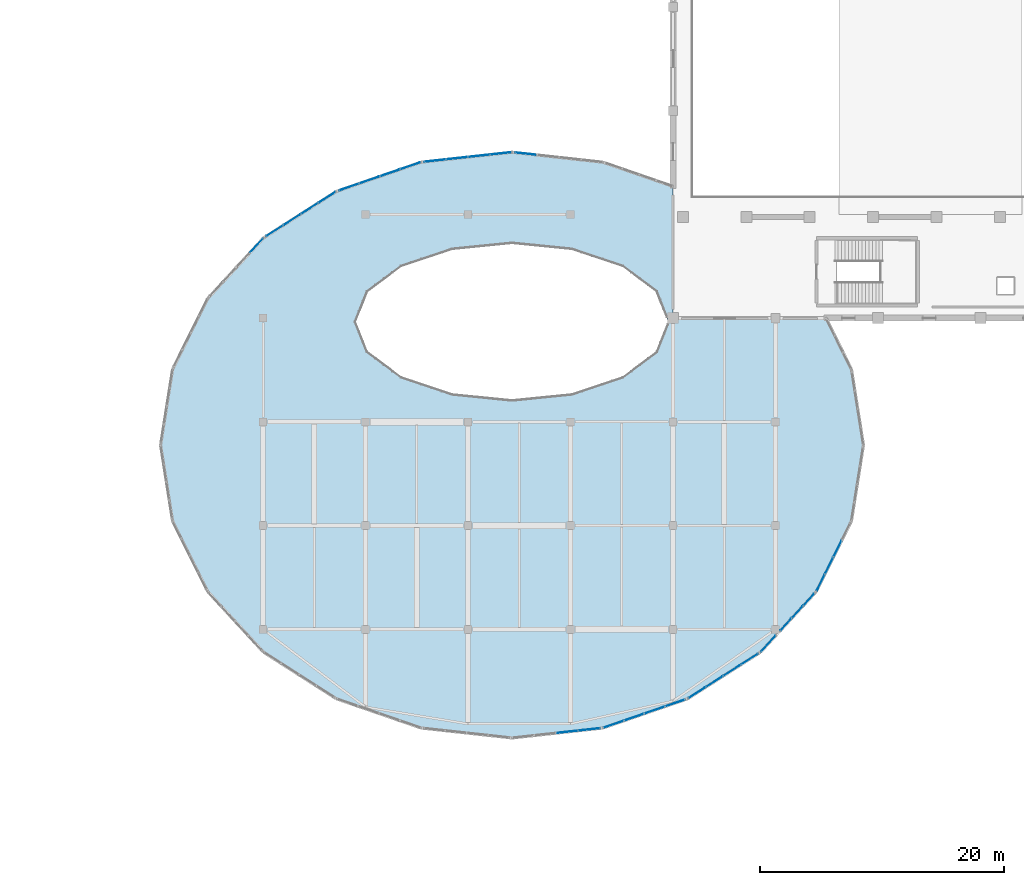
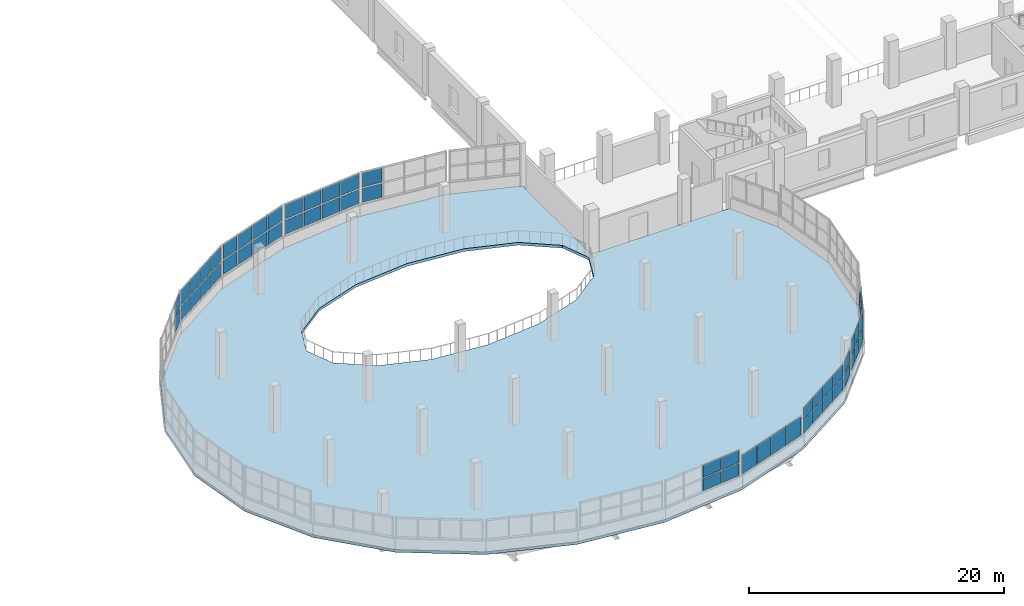
# One storey, part 33 of 50: 57 plates, 1 slab, 11 elements without a shape of their own.
"""IFC4 building model written with IfcOpenShell, lengths in metres."""

from ifc_helpers import new_model, si_unit, direction, frame, origin, origin_2d, place, context, subcontext, project, spatial, polyline, rectangle, outline, extrude, material, layer, layer_set, type_object, element, aggregate, save


model = new_model("IFC4")

# Units and contexts
model_context = context("Model", 3, precision=1e-05, world=origin(), true_north=direction((0.0, 1.0)))
body_context = subcontext(model_context, "Body", "Model", "MODEL_VIEW")
ifc_project = project(units=[si_unit("LENGTHUNIT", "METRE"), si_unit("AREAUNIT", "SQUARE_METRE"), si_unit("VOLUMEUNIT", "CUBIC_METRE"), si_unit("PLANEANGLEUNIT", "RADIAN"), si_unit("MASSUNIT", "GRAM", prefix="KILO")], contexts=[model_context])

# Site, building, storey
site_placement = place(None, origin())
site = spatial("IfcSite", under=ifc_project, at=site_placement, CompositionType="ELEMENT")
building_placement = place(site_placement, origin())
building = spatial("IfcBuilding", under=site, at=building_placement, Name="Solvento Point Concert Hall", CompositionType="ELEMENT")
storey_placement = place(building_placement, frame((0.0, 0.0, 15.0)))
storey = spatial("IfcBuildingStorey", under=building, at=storey_placement, Name="L03", CompositionType="ELEMENT", Elevation=15.0)

# Curtain wall, plates
ifc_material_1 = material(Name="Anodized Bronze Aluminium", Category="aluminium")
curtain_wall_type = type_object("IfcCurtainWallType", Name="CurtainWall_RingRibbon_L03_04", PredefinedType="USERDEFINED", material=ifc_material_1)
curtain_wall_1_placement = place(storey_placement, origin())
curtain_wall_1 = element("IfcCurtainWall", 1, at=curtain_wall_1_placement, inside=storey, type_object=curtain_wall_type, Name="Unitised curtain wall CW-31 UCW-L03-193", ObjectType="UNITISED CURTAIN WALL", PredefinedType="USERDEFINED")
ifc_material_2 = material(Name="Hurricane Laminated Low-E Glass", Category="glass")
plate_type = type_object("IfcPlateType", Name="CurtainPanel_RingUpper", PredefinedType="CURTAIN_PANEL", material=ifc_material_2)
plate_1_placement = place(storey_placement, frame((40.263916015625, 48.4501953125, 1.240234375), z_axis=(0.0, 0.0, 1.0), x_axis=(0.677365302802, 0.735646821892, 0.0)))
plate_1 = element("IfcPlate", 2, at=plate_1_placement, type_object=plate_type, Name="Glazed curtain panel GL-03", PredefinedType="CURTAIN_PANEL", context=body_context, shape_type="SweptSolid", body=[
    extrude(rectangle(XDim=1.506591796875, YDim=0.035888671875, at=origin_2d()), origin(), (0.0, 0.0, 1.0), 1.364990234375),
])
plate_2_placement = place(storey_placement, frame((40.263916015625, 48.4501953125, 2.72509765625), z_axis=(0.0, 0.0, 1.0), x_axis=(0.677365302802, 0.735646821892, 0.0)))
plate_2 = element("IfcPlate", 3, at=plate_2_placement, type_object=plate_type, Name="Glazed curtain panel GL-03", PredefinedType="CURTAIN_PANEL", context=body_context, shape_type="SweptSolid", body=[
    extrude(rectangle(XDim=1.506591796875, YDim=0.035888671875, at=origin_2d()), origin(), (0.0, 0.0, 1.0), 1.364990234375),
])
aggregate(curtain_wall_1, [plate_1, plate_2])

curtain_wall_2_placement = place(storey_placement, origin())
curtain_wall_2 = element("IfcCurtainWall", 4, at=curtain_wall_2_placement, inside=storey, type_object=curtain_wall_type, Name="Unitised curtain wall CW-31 UCW-L03-194", ObjectType="UNITISED CURTAIN WALL", PredefinedType="USERDEFINED")
plate_3_placement = place(storey_placement, frame((41.739990234375, 49.64892578125, 1.240234375), z_axis=(0.0, 0.0, 1.0), x_axis=(0.842490008251, 0.538711969421, 0.0)))
plate_3 = element("IfcPlate", 5, at=plate_3_placement, type_object=plate_type, Name="Glazed curtain panel GL-03", PredefinedType="CURTAIN_PANEL", context=body_context, shape_type="SweptSolid", body=[
    extrude(rectangle(XDim=1.58740234375, YDim=0.035888671875, at=origin_2d()), origin(), (0.0, 0.0, 1.0), 1.364990234375),
])
plate_4_placement = place(storey_placement, frame((41.739990234375, 49.64892578125, 2.72509765625), z_axis=(0.0, 0.0, 1.0), x_axis=(0.842490008251, 0.538711969421, 0.0)))
plate_4 = element("IfcPlate", 6, at=plate_4_placement, type_object=plate_type, Name="Glazed curtain panel GL-03", PredefinedType="CURTAIN_PANEL", context=body_context, shape_type="SweptSolid", body=[
    extrude(rectangle(XDim=1.58740234375, YDim=0.035888671875, at=origin_2d()), origin(), (0.0, 0.0, 1.0), 1.364990234375),
])
plate_5_placement = place(storey_placement, frame((43.178466796875, 50.56884765625, 1.240234375), z_axis=(0.0, 0.0, 1.0), x_axis=(0.842490008251, 0.538711969421, 0.0)))
plate_5 = element("IfcPlate", 7, at=plate_5_placement, type_object=plate_type, Name="Glazed curtain panel GL-03", PredefinedType="CURTAIN_PANEL", context=body_context, shape_type="SweptSolid", body=[
    extrude(rectangle(XDim=1.58740234375, YDim=0.035888671875, at=origin_2d()), origin(), (0.0, 0.0, 1.0), 1.364990234375),
])
plate_6_placement = place(storey_placement, frame((43.178466796875, 50.56884765625, 2.72509765625), z_axis=(0.0, 0.0, 1.0), x_axis=(0.842490008251, 0.538711969421, 0.0)))
plate_6 = element("IfcPlate", 8, at=plate_6_placement, type_object=plate_type, Name="Glazed curtain panel GL-03", PredefinedType="CURTAIN_PANEL", context=body_context, shape_type="SweptSolid", body=[
    extrude(rectangle(XDim=1.58740234375, YDim=0.035888671875, at=origin_2d()), origin(), (0.0, 0.0, 1.0), 1.364990234375),
])
plate_7_placement = place(storey_placement, frame((44.616943359375, 51.48876953125, 1.240234375), z_axis=(0.0, 0.0, 1.0), x_axis=(0.842490008251, 0.538711969421, 0.0)))
plate_7 = element("IfcPlate", 9, at=plate_7_placement, type_object=plate_type, Name="Glazed curtain panel GL-03", PredefinedType="CURTAIN_PANEL", context=body_context, shape_type="SweptSolid", body=[
    extrude(rectangle(XDim=1.58740234375, YDim=0.035888671875, at=origin_2d()), origin(), (0.0, 0.0, 1.0), 1.364990234375),
])
plate_8_placement = place(storey_placement, frame((44.616943359375, 51.48876953125, 2.72509765625), z_axis=(0.0, 0.0, 1.0), x_axis=(0.842490008251, 0.538711969421, 0.0)))
plate_8 = element("IfcPlate", 10, at=plate_8_placement, type_object=plate_type, Name="Glazed curtain panel GL-03", PredefinedType="CURTAIN_PANEL", context=body_context, shape_type="SweptSolid", body=[
    extrude(rectangle(XDim=1.58740234375, YDim=0.035888671875, at=origin_2d()), origin(), (0.0, 0.0, 1.0), 1.364990234375),
])
plate_9_placement = place(storey_placement, frame((46.055419921875, 52.408447265625, 1.240234375), z_axis=(0.0, 0.0, 1.0), x_axis=(0.842490008251, 0.538711969421, 0.0)))
plate_9 = element("IfcPlate", 11, at=plate_9_placement, type_object=plate_type, Name="Glazed curtain panel GL-03", PredefinedType="CURTAIN_PANEL", context=body_context, shape_type="SweptSolid", body=[
    extrude(rectangle(XDim=1.58740234375, YDim=0.035888671875, at=origin_2d()), origin(), (0.0, 0.0, 1.0), 1.364990234375),
])
plate_10_placement = place(storey_placement, frame((46.055419921875, 52.408447265625, 2.72509765625), z_axis=(0.0, 0.0, 1.0), x_axis=(0.842490008251, 0.538711969421, 0.0)))
plate_10 = element("IfcPlate", 12, at=plate_10_placement, type_object=plate_type, Name="Glazed curtain panel GL-03", PredefinedType="CURTAIN_PANEL", context=body_context, shape_type="SweptSolid", body=[
    extrude(rectangle(XDim=1.58740234375, YDim=0.035888671875, at=origin_2d()), origin(), (0.0, 0.0, 1.0), 1.364990234375),
])
aggregate(curtain_wall_2, [plate_3, plate_4, plate_5, plate_6, plate_7, plate_8, plate_9, plate_10])

curtain_wall_3_placement = place(storey_placement, origin())
curtain_wall_3 = element("IfcCurtainWall", 13, at=curtain_wall_3_placement, inside=storey, type_object=curtain_wall_type, Name="Unitised curtain wall CW-31 UCW-L03-195", ObjectType="UNITISED CURTAIN WALL", PredefinedType="USERDEFINED")
plate_11_placement = place(storey_placement, frame((47.8466796875, 53.245849609375, 1.240234375), z_axis=(0.0, 0.0, 1.0), x_axis=(0.945271125843, 0.326285915492, 0.0)))
plate_11 = element("IfcPlate", 14, at=plate_11_placement, type_object=plate_type, Name="Glazed curtain panel GL-03", PredefinedType="CURTAIN_PANEL", context=body_context, shape_type="SweptSolid", body=[
    extrude(rectangle(XDim=1.654541015625, YDim=0.035888671875, at=origin_2d()), origin(), (0.0, 0.0, 1.0), 1.364990234375),
])
plate_12_placement = place(storey_placement, frame((47.8466796875, 53.245849609375, 2.72509765625), z_axis=(0.0, 0.0, 1.0), x_axis=(0.945271125843, 0.326285915492, 0.0)))
plate_12 = element("IfcPlate", 15, at=plate_12_placement, type_object=plate_type, Name="Glazed curtain panel GL-03", PredefinedType="CURTAIN_PANEL", context=body_context, shape_type="SweptSolid", body=[
    extrude(rectangle(XDim=1.654541015625, YDim=0.035888671875, at=origin_2d()), origin(), (0.0, 0.0, 1.0), 1.364990234375),
])
plate_13_placement = place(storey_placement, frame((49.524169921875, 53.824951171875, 1.240234375), z_axis=(0.0, 0.0, 1.0), x_axis=(0.945271125843, 0.326285915492, 0.0)))
plate_13 = element("IfcPlate", 16, at=plate_13_placement, type_object=plate_type, Name="Glazed curtain panel GL-03", PredefinedType="CURTAIN_PANEL", context=body_context, shape_type="SweptSolid", body=[
    extrude(rectangle(XDim=1.654541015625, YDim=0.035888671875, at=origin_2d()), origin(), (0.0, 0.0, 1.0), 1.364990234375),
])
plate_14_placement = place(storey_placement, frame((49.524169921875, 53.824951171875, 2.72509765625), z_axis=(0.0, 0.0, 1.0), x_axis=(0.945271125843, 0.326285915492, 0.0)))
plate_14 = element("IfcPlate", 17, at=plate_14_placement, type_object=plate_type, Name="Glazed curtain panel GL-03", PredefinedType="CURTAIN_PANEL", context=body_context, shape_type="SweptSolid", body=[
    extrude(rectangle(XDim=1.654541015625, YDim=0.035888671875, at=origin_2d()), origin(), (0.0, 0.0, 1.0), 1.364990234375),
])
plate_15_placement = place(storey_placement, frame((51.201416015625, 54.40380859375, 1.240234375), z_axis=(0.0, 0.0, 1.0), x_axis=(0.945271125843, 0.326285915492, 0.0)))
plate_15 = element("IfcPlate", 18, at=plate_15_placement, type_object=plate_type, Name="Glazed curtain panel GL-03", PredefinedType="CURTAIN_PANEL", context=body_context, shape_type="SweptSolid", body=[
    extrude(rectangle(XDim=1.654541015625, YDim=0.035888671875, at=origin_2d()), origin(), (0.0, 0.0, 1.0), 1.364990234375),
])
plate_16_placement = place(storey_placement, frame((51.201416015625, 54.40380859375, 2.72509765625), z_axis=(0.0, 0.0, 1.0), x_axis=(0.945271125843, 0.326285915492, 0.0)))
plate_16 = element("IfcPlate", 19, at=plate_16_placement, type_object=plate_type, Name="Glazed curtain panel GL-03", PredefinedType="CURTAIN_PANEL", context=body_context, shape_type="SweptSolid", body=[
    extrude(rectangle(XDim=1.654541015625, YDim=0.035888671875, at=origin_2d()), origin(), (0.0, 0.0, 1.0), 1.364990234375),
])
plate_17_placement = place(storey_placement, frame((52.87890625, 54.98291015625, 1.240234375), z_axis=(0.0, 0.0, 1.0), x_axis=(0.945271125843, 0.326285915492, 0.0)))
plate_17 = element("IfcPlate", 20, at=plate_17_placement, type_object=plate_type, Name="Glazed curtain panel GL-03", PredefinedType="CURTAIN_PANEL", context=body_context, shape_type="SweptSolid", body=[
    extrude(rectangle(XDim=1.654541015625, YDim=0.035888671875, at=origin_2d()), origin(), (0.0, 0.0, 1.0), 1.364990234375),
])
plate_18_placement = place(storey_placement, frame((52.87890625, 54.98291015625, 2.72509765625), z_axis=(0.0, 0.0, 1.0), x_axis=(0.945271125843, 0.326285915492, 0.0)))
plate_18 = element("IfcPlate", 21, at=plate_18_placement, type_object=plate_type, Name="Glazed curtain panel GL-03", PredefinedType="CURTAIN_PANEL", context=body_context, shape_type="SweptSolid", body=[
    extrude(rectangle(XDim=1.654541015625, YDim=0.035888671875, at=origin_2d()), origin(), (0.0, 0.0, 1.0), 1.364990234375),
])
aggregate(curtain_wall_3, [plate_11, plate_12, plate_13, plate_14, plate_15, plate_16, plate_17, plate_18])

curtain_wall_4_placement = place(storey_placement, origin())
curtain_wall_4 = element("IfcCurtainWall", 22, at=curtain_wall_4_placement, inside=storey, type_object=curtain_wall_type, Name="Unitised curtain wall CW-31 UCW-L03-196", ObjectType="UNITISED CURTAIN WALL", PredefinedType="USERDEFINED")
plate_19_placement = place(storey_placement, frame((54.865478515625, 55.405029296875, 1.240234375), z_axis=(0.0, 0.0, 1.0), x_axis=(0.994035418963, 0.109057717961, 0.0)))
plate_19 = element("IfcPlate", 23, at=plate_19_placement, type_object=plate_type, Name="Glazed curtain panel GL-03", PredefinedType="CURTAIN_PANEL", context=body_context, shape_type="SweptSolid", body=[
    extrude(rectangle(XDim=1.692138671875, YDim=0.035888671875, at=origin_2d()), origin(), (0.0, 0.0, 1.0), 1.364990234375),
])
plate_20_placement = place(storey_placement, frame((54.865478515625, 55.405029296875, 2.72509765625), z_axis=(0.0, 0.0, 1.0), x_axis=(0.994035418963, 0.109057717961, 0.0)))
plate_20 = element("IfcPlate", 24, at=plate_20_placement, type_object=plate_type, Name="Glazed curtain panel GL-03", PredefinedType="CURTAIN_PANEL", context=body_context, shape_type="SweptSolid", body=[
    extrude(rectangle(XDim=1.692138671875, YDim=0.035888671875, at=origin_2d()), origin(), (0.0, 0.0, 1.0), 1.364990234375),
])
plate_21_placement = place(storey_placement, frame((56.666748046875, 55.6025390625, 1.240234375), z_axis=(0.0, 0.0, 1.0), x_axis=(0.994035418963, 0.109057717961, 0.0)))
plate_21 = element("IfcPlate", 25, at=plate_21_placement, type_object=plate_type, Name="Glazed curtain panel GL-03", PredefinedType="CURTAIN_PANEL", context=body_context, shape_type="SweptSolid", body=[
    extrude(rectangle(XDim=1.692138671875, YDim=0.035888671875, at=origin_2d()), origin(), (0.0, 0.0, 1.0), 1.364990234375),
])
plate_22_placement = place(storey_placement, frame((56.666748046875, 55.6025390625, 2.72509765625), z_axis=(0.0, 0.0, 1.0), x_axis=(0.994035418963, 0.109057717961, 0.0)))
plate_22 = element("IfcPlate", 26, at=plate_22_placement, type_object=plate_type, Name="Glazed curtain panel GL-03", PredefinedType="CURTAIN_PANEL", context=body_context, shape_type="SweptSolid", body=[
    extrude(rectangle(XDim=1.692138671875, YDim=0.035888671875, at=origin_2d()), origin(), (0.0, 0.0, 1.0), 1.364990234375),
])
plate_23_placement = place(storey_placement, frame((58.468017578125, 55.80029296875, 1.240234375), z_axis=(0.0, 0.0, 1.0), x_axis=(0.994035418963, 0.109057717961, 0.0)))
plate_23 = element("IfcPlate", 27, at=plate_23_placement, type_object=plate_type, Name="Glazed curtain panel GL-03", PredefinedType="CURTAIN_PANEL", context=body_context, shape_type="SweptSolid", body=[
    extrude(rectangle(XDim=1.692138671875, YDim=0.035888671875, at=origin_2d()), origin(), (0.0, 0.0, 1.0), 1.364990234375),
])
plate_24_placement = place(storey_placement, frame((58.468017578125, 55.80029296875, 2.72509765625), z_axis=(0.0, 0.0, 1.0), x_axis=(0.994035418963, 0.109057717961, 0.0)))
plate_24 = element("IfcPlate", 28, at=plate_24_placement, type_object=plate_type, Name="Glazed curtain panel GL-03", PredefinedType="CURTAIN_PANEL", context=body_context, shape_type="SweptSolid", body=[
    extrude(rectangle(XDim=1.692138671875, YDim=0.035888671875, at=origin_2d()), origin(), (0.0, 0.0, 1.0), 1.364990234375),
])
plate_25_placement = place(storey_placement, frame((60.26953125, 55.997802734375, 1.240234375), z_axis=(0.0, 0.0, 1.0), x_axis=(0.994035418963, 0.109057717961, 0.0)))
plate_25 = element("IfcPlate", 29, at=plate_25_placement, type_object=plate_type, Name="Glazed curtain panel GL-03", PredefinedType="CURTAIN_PANEL", context=body_context, shape_type="SweptSolid", body=[
    extrude(rectangle(XDim=1.692138671875, YDim=0.035888671875, at=origin_2d()), origin(), (0.0, 0.0, 1.0), 1.364990234375),
])
plate_26_placement = place(storey_placement, frame((60.26953125, 55.997802734375, 2.72509765625), z_axis=(0.0, 0.0, 1.0), x_axis=(0.994035418963, 0.109057717961, 0.0)))
plate_26 = element("IfcPlate", 30, at=plate_26_placement, type_object=plate_type, Name="Glazed curtain panel GL-03", PredefinedType="CURTAIN_PANEL", context=body_context, shape_type="SweptSolid", body=[
    extrude(rectangle(XDim=1.692138671875, YDim=0.035888671875, at=origin_2d()), origin(), (0.0, 0.0, 1.0), 1.364990234375),
])
aggregate(curtain_wall_4, [plate_19, plate_20, plate_21, plate_22, plate_23, plate_24, plate_25, plate_26])

curtain_wall_5_placement = place(storey_placement, origin())
curtain_wall_5 = element("IfcCurtainWall", 31, at=curtain_wall_5_placement, inside=storey, type_object=curtain_wall_type, Name="Unitised curtain wall CW-31 UCW-L03-197", ObjectType="UNITISED CURTAIN WALL", PredefinedType="USERDEFINED")
plate_27_placement = place(storey_placement, frame((62.3193359375, 55.977294921875, 1.240234375), z_axis=(0.0, 0.0, 1.0), x_axis=(0.994035418963, -0.109057717961, 0.0)))
plate_27 = element("IfcPlate", 32, at=plate_27_placement, type_object=plate_type, Name="Glazed curtain panel GL-03", PredefinedType="CURTAIN_PANEL", context=body_context, shape_type="SweptSolid", body=[
    extrude(rectangle(XDim=1.692138671875, YDim=0.035888671875, at=origin_2d()), origin(), (0.0, 0.0, 1.0), 1.364990234375),
])
plate_28_placement = place(storey_placement, frame((62.3193359375, 55.977294921875, 2.72509765625), z_axis=(0.0, 0.0, 1.0), x_axis=(0.994035418963, -0.109057717961, 0.0)))
plate_28 = element("IfcPlate", 33, at=plate_28_placement, type_object=plate_type, Name="Glazed curtain panel GL-03", PredefinedType="CURTAIN_PANEL", context=body_context, shape_type="SweptSolid", body=[
    extrude(rectangle(XDim=1.692138671875, YDim=0.035888671875, at=origin_2d()), origin(), (0.0, 0.0, 1.0), 1.364990234375),
])
aggregate(curtain_wall_5, [plate_27, plate_28])

curtain_wall_6_placement = place(storey_placement, origin())
curtain_wall_6 = element("IfcCurtainWall", 34, at=curtain_wall_6_placement, inside=storey, type_object=curtain_wall_type, Name="Unitised curtain wall CW-31 UCW-L03-202", ObjectType="UNITISED CURTAIN WALL", PredefinedType="USERDEFINED")
plate_29_placement = place(storey_placement, frame((87.883544921875, 23.6044921875, 1.240234375), z_axis=(0.0, 0.0, 1.0), x_axis=(-0.445115052099, -0.895473388993, 0.0)))
plate_29 = element("IfcPlate", 35, at=plate_29_placement, type_object=plate_type, Name="Glazed curtain panel GL-03", PredefinedType="CURTAIN_PANEL", context=body_context, shape_type="SweptSolid", body=[
    extrude(rectangle(XDim=1.43359375, YDim=0.035888671875, at=origin_2d()), origin(), (0.0, 0.0, 1.0), 1.364990234375),
])
plate_30_placement = place(storey_placement, frame((87.192138671875, 22.21337890625, 1.240234375), z_axis=(0.0, 0.0, 1.0), x_axis=(-0.445115052099, -0.895473388993, 0.0)))
plate_30 = element("IfcPlate", 36, at=plate_30_placement, type_object=plate_type, Name="Glazed curtain panel GL-03", PredefinedType="CURTAIN_PANEL", context=body_context, shape_type="SweptSolid", body=[
    extrude(rectangle(XDim=1.43359375, YDim=0.035888671875, at=origin_2d()), origin(), (0.0, 0.0, 1.0), 1.364990234375),
])
plate_31_placement = place(storey_placement, frame((87.192138671875, 22.21337890625, 2.72509765625), z_axis=(0.0, 0.0, 1.0), x_axis=(-0.445115052099, -0.895473388993, 0.0)))
plate_31 = element("IfcPlate", 37, at=plate_31_placement, type_object=plate_type, Name="Glazed curtain panel GL-03", PredefinedType="CURTAIN_PANEL", context=body_context, shape_type="SweptSolid", body=[
    extrude(rectangle(XDim=1.43359375, YDim=0.035888671875, at=origin_2d()), origin(), (0.0, 0.0, 1.0), 1.364990234375),
])
plate_32_placement = place(storey_placement, frame((86.50048828125, 20.822509765625, 1.240234375), z_axis=(0.0, 0.0, 1.0), x_axis=(-0.445115052099, -0.895473388993, 0.0)))
plate_32 = element("IfcPlate", 38, at=plate_32_placement, type_object=plate_type, Name="Glazed curtain panel GL-03", PredefinedType="CURTAIN_PANEL", context=body_context, shape_type="SweptSolid", body=[
    extrude(rectangle(XDim=1.43359375, YDim=0.035888671875, at=origin_2d()), origin(), (0.0, 0.0, 1.0), 1.364990234375),
])
plate_33_placement = place(storey_placement, frame((86.50048828125, 20.822509765625, 2.72509765625), z_axis=(0.0, 0.0, 1.0), x_axis=(-0.445115052099, -0.895473388993, 0.0)))
plate_33 = element("IfcPlate", 39, at=plate_33_placement, type_object=plate_type, Name="Glazed curtain panel GL-03", PredefinedType="CURTAIN_PANEL", context=body_context, shape_type="SweptSolid", body=[
    extrude(rectangle(XDim=1.43359375, YDim=0.035888671875, at=origin_2d()), origin(), (0.0, 0.0, 1.0), 1.364990234375),
])
aggregate(curtain_wall_6, [plate_29, plate_30, plate_31, plate_32, plate_33])

curtain_wall_7_placement = place(storey_placement, origin())
curtain_wall_7 = element("IfcCurtainWall", 40, at=curtain_wall_7_placement, inside=storey, type_object=curtain_wall_type, Name="Unitised curtain wall CW-31 UCW-L03-203", ObjectType="UNITISED CURTAIN WALL", PredefinedType="USERDEFINED")
plate_34_placement = place(storey_placement, frame((85.521240234375, 19.426513671875, 1.240234375), z_axis=(0.0, 0.0, 1.0), x_axis=(-0.67735631513, -0.735655097416, 0.0)))
plate_34 = element("IfcPlate", 41, at=plate_34_placement, type_object=plate_type, Name="Glazed curtain panel GL-03", PredefinedType="CURTAIN_PANEL", context=body_context, shape_type="SweptSolid", body=[
    extrude(rectangle(XDim=1.271240234375, YDim=0.035888671875, at=origin_2d()), origin(), (0.0, 0.0, 1.0), 1.364990234375),
])
plate_35_placement = place(storey_placement, frame((85.521240234375, 19.426513671875, 2.72509765625), z_axis=(0.0, 0.0, 1.0), x_axis=(-0.67735631513, -0.735655097416, 0.0)))
plate_35 = element("IfcPlate", 42, at=plate_35_placement, type_object=plate_type, Name="Glazed curtain panel GL-03", PredefinedType="CURTAIN_PANEL", context=body_context, shape_type="SweptSolid", body=[
    extrude(rectangle(XDim=1.271240234375, YDim=0.035888671875, at=origin_2d()), origin(), (0.0, 0.0, 1.0), 1.364990234375),
])
plate_36_placement = place(storey_placement, frame((84.578857421875, 18.40283203125, 1.240234375), z_axis=(0.0, 0.0, 1.0), x_axis=(-0.67735631513, -0.735655097416, 0.0)))
plate_36 = element("IfcPlate", 43, at=plate_36_placement, type_object=plate_type, Name="Glazed curtain panel GL-03", PredefinedType="CURTAIN_PANEL", context=body_context, shape_type="SweptSolid", body=[
    extrude(rectangle(XDim=1.271240234375, YDim=0.035888671875, at=origin_2d()), origin(), (0.0, 0.0, 1.0), 1.364990234375),
])
plate_37_placement = place(storey_placement, frame((84.578857421875, 18.40283203125, 2.72509765625), z_axis=(0.0, 0.0, 1.0), x_axis=(-0.67735631513, -0.735655097416, 0.0)))
plate_37 = element("IfcPlate", 44, at=plate_37_placement, type_object=plate_type, Name="Glazed curtain panel GL-03", PredefinedType="CURTAIN_PANEL", context=body_context, shape_type="SweptSolid", body=[
    extrude(rectangle(XDim=1.271240234375, YDim=0.035888671875, at=origin_2d()), origin(), (0.0, 0.0, 1.0), 1.364990234375),
])
plate_38_placement = place(storey_placement, frame((83.636474609375, 17.37939453125, 1.240234375), z_axis=(0.0, 0.0, 1.0), x_axis=(-0.67735631513, -0.735655097416, 0.0)))
plate_38 = element("IfcPlate", 45, at=plate_38_placement, type_object=plate_type, Name="Glazed curtain panel GL-03", PredefinedType="CURTAIN_PANEL", context=body_context, shape_type="SweptSolid", body=[
    extrude(rectangle(XDim=1.271240234375, YDim=0.035888671875, at=origin_2d()), origin(), (0.0, 0.0, 1.0), 1.364990234375),
])
plate_39_placement = place(storey_placement, frame((83.636474609375, 17.37939453125, 2.72509765625), z_axis=(0.0, 0.0, 1.0), x_axis=(-0.67735631513, -0.735655097416, 0.0)))
plate_39 = element("IfcPlate", 46, at=plate_39_placement, type_object=plate_type, Name="Glazed curtain panel GL-03", PredefinedType="CURTAIN_PANEL", context=body_context, shape_type="SweptSolid", body=[
    extrude(rectangle(XDim=1.271240234375, YDim=0.035888671875, at=origin_2d()), origin(), (0.0, 0.0, 1.0), 1.364990234375),
])
aggregate(curtain_wall_7, [plate_34, plate_35, plate_36, plate_37, plate_38, plate_39])

curtain_wall_8_placement = place(storey_placement, origin())
curtain_wall_8 = element("IfcCurtainWall", 47, at=curtain_wall_8_placement, inside=storey, type_object=curtain_wall_type, Name="Unitised curtain wall CW-31 UCW-L03-204", ObjectType="UNITISED CURTAIN WALL", PredefinedType="USERDEFINED")
plate_40_placement = place(storey_placement, frame((82.20263671875, 15.822265625, 1.239990234375), z_axis=(0.0, 0.0, 1.0), x_axis=(-0.677381993924, -0.735631452772, 0.0)))
plate_40 = element("IfcPlate", 48, at=plate_40_placement, type_object=plate_type, Name="Glazed curtain panel GL-03", PredefinedType="CURTAIN_PANEL", context=body_context, shape_type="SweptSolid", body=[
    extrude(rectangle(XDim=1.703857421875, YDim=0.035888671875, at=origin_2d()), origin(), (0.0, 0.0, 1.0), 1.15380859375),
])
plate_41_placement = place(storey_placement, frame((82.20263671875, 15.822265625, 2.513916015625), z_axis=(0.0, 0.0, 1.0), x_axis=(-0.677381993924, -0.735631452772, 0.0)))
plate_41 = element("IfcPlate", 49, at=plate_41_placement, type_object=plate_type, Name="Glazed curtain panel GL-03", PredefinedType="CURTAIN_PANEL", context=body_context, shape_type="SweptSolid", body=[
    extrude(rectangle(XDim=1.703857421875, YDim=0.035888671875, at=origin_2d()), origin(), (0.0, 0.0, 1.0), 1.15380859375),
])
aggregate(curtain_wall_8, [plate_40, plate_41])

curtain_wall_9_placement = place(storey_placement, origin())
curtain_wall_9 = element("IfcCurtainWall", 50, at=curtain_wall_9_placement, inside=storey, type_object=curtain_wall_type, Name="Unitised curtain wall CW-31 UCW-L03-205", ObjectType="UNITISED CURTAIN WALL", PredefinedType="USERDEFINED")
plate_42_placement = place(storey_placement, frame((80.66015625, 14.551025390625, 1.239990234375), z_axis=(0.0, 0.0, 1.0), x_axis=(-0.842490008251, -0.538711969421, 0.0)))
plate_42 = element("IfcPlate", 51, at=plate_42_placement, type_object=plate_type, Name="Glazed curtain panel GL-03", PredefinedType="CURTAIN_PANEL", context=body_context, shape_type="SweptSolid", body=[
    extrude(rectangle(XDim=1.58740234375, YDim=0.035888671875, at=origin_2d()), origin(), (0.0, 0.0, 1.0), 1.15380859375),
])
plate_43_placement = place(storey_placement, frame((80.66015625, 14.551025390625, 2.513916015625), z_axis=(0.0, 0.0, 1.0), x_axis=(-0.842490008251, -0.538711969421, 0.0)))
plate_43 = element("IfcPlate", 52, at=plate_43_placement, type_object=plate_type, Name="Glazed curtain panel GL-03", PredefinedType="CURTAIN_PANEL", context=body_context, shape_type="SweptSolid", body=[
    extrude(rectangle(XDim=1.58740234375, YDim=0.035888671875, at=origin_2d()), origin(), (0.0, 0.0, 1.0), 1.15380859375),
])
plate_44_placement = place(storey_placement, frame((79.2216796875, 13.631103515625, 1.239990234375), z_axis=(0.0, 0.0, 1.0), x_axis=(-0.842490008251, -0.538711969421, 0.0)))
plate_44 = element("IfcPlate", 53, at=plate_44_placement, type_object=plate_type, Name="Glazed curtain panel GL-03", PredefinedType="CURTAIN_PANEL", context=body_context, shape_type="SweptSolid", body=[
    extrude(rectangle(XDim=1.58740234375, YDim=0.035888671875, at=origin_2d()), origin(), (0.0, 0.0, 1.0), 1.15380859375),
])
plate_45_placement = place(storey_placement, frame((79.2216796875, 13.631103515625, 2.513916015625), z_axis=(0.0, 0.0, 1.0), x_axis=(-0.842490008251, -0.538711969421, 0.0)))
plate_45 = element("IfcPlate", 54, at=plate_45_placement, type_object=plate_type, Name="Glazed curtain panel GL-03", PredefinedType="CURTAIN_PANEL", context=body_context, shape_type="SweptSolid", body=[
    extrude(rectangle(XDim=1.58740234375, YDim=0.035888671875, at=origin_2d()), origin(), (0.0, 0.0, 1.0), 1.15380859375),
])
plate_46_placement = place(storey_placement, frame((77.783203125, 12.711181640625, 1.239990234375), z_axis=(0.0, 0.0, 1.0), x_axis=(-0.842490008251, -0.538711969421, 0.0)))
plate_46 = element("IfcPlate", 55, at=plate_46_placement, type_object=plate_type, Name="Glazed curtain panel GL-03", PredefinedType="CURTAIN_PANEL", context=body_context, shape_type="SweptSolid", body=[
    extrude(rectangle(XDim=1.58740234375, YDim=0.035888671875, at=origin_2d()), origin(), (0.0, 0.0, 1.0), 1.15380859375),
])
plate_47_placement = place(storey_placement, frame((77.783203125, 12.711181640625, 2.513916015625), z_axis=(0.0, 0.0, 1.0), x_axis=(-0.842490008251, -0.538711969421, 0.0)))
plate_47 = element("IfcPlate", 56, at=plate_47_placement, type_object=plate_type, Name="Glazed curtain panel GL-03", PredefinedType="CURTAIN_PANEL", context=body_context, shape_type="SweptSolid", body=[
    extrude(rectangle(XDim=1.58740234375, YDim=0.035888671875, at=origin_2d()), origin(), (0.0, 0.0, 1.0), 1.15380859375),
])
plate_48_placement = place(storey_placement, frame((76.344482421875, 11.79150390625, 1.239990234375), z_axis=(0.0, 0.0, 1.0), x_axis=(-0.842490008251, -0.538711969421, 0.0)))
plate_48 = element("IfcPlate", 57, at=plate_48_placement, type_object=plate_type, Name="Glazed curtain panel GL-03", PredefinedType="CURTAIN_PANEL", context=body_context, shape_type="SweptSolid", body=[
    extrude(rectangle(XDim=1.58740234375, YDim=0.035888671875, at=origin_2d()), origin(), (0.0, 0.0, 1.0), 1.15380859375),
])
plate_49_placement = place(storey_placement, frame((76.344482421875, 11.79150390625, 2.513916015625), z_axis=(0.0, 0.0, 1.0), x_axis=(-0.842490008251, -0.538711969421, 0.0)))
plate_49 = element("IfcPlate", 58, at=plate_49_placement, type_object=plate_type, Name="Glazed curtain panel GL-03", PredefinedType="CURTAIN_PANEL", context=body_context, shape_type="SweptSolid", body=[
    extrude(rectangle(XDim=1.58740234375, YDim=0.035888671875, at=origin_2d()), origin(), (0.0, 0.0, 1.0), 1.15380859375),
])
aggregate(curtain_wall_9, [plate_42, plate_43, plate_44, plate_45, plate_46, plate_47, plate_48, plate_49])

curtain_wall_10_placement = place(storey_placement, origin())
curtain_wall_10 = element("IfcCurtainWall", 59, at=curtain_wall_10_placement, inside=storey, type_object=curtain_wall_type, Name="Unitised curtain wall CW-31 UCW-L03-206", ObjectType="UNITISED CURTAIN WALL", PredefinedType="USERDEFINED")
plate_50_placement = place(storey_placement, frame((74.55322265625, 10.9541015625, 1.239990234375), z_axis=(0.0, 0.0, 1.0), x_axis=(-0.945271125843, -0.326285915492, 0.0)))
plate_50 = element("IfcPlate", 60, at=plate_50_placement, type_object=plate_type, Name="Glazed curtain panel GL-03", PredefinedType="CURTAIN_PANEL", context=body_context, shape_type="SweptSolid", body=[
    extrude(rectangle(XDim=1.654541015625, YDim=0.035888671875, at=origin_2d()), origin(), (0.0, 0.0, 1.0), 1.7919921875),
])
plate_51_placement = place(storey_placement, frame((72.8759765625, 10.375, 1.239990234375), z_axis=(0.0, 0.0, 1.0), x_axis=(-0.945271125843, -0.326285915492, 0.0)))
plate_51 = element("IfcPlate", 61, at=plate_51_placement, type_object=plate_type, Name="Glazed curtain panel GL-03", PredefinedType="CURTAIN_PANEL", context=body_context, shape_type="SweptSolid", body=[
    extrude(rectangle(XDim=1.654541015625, YDim=0.035888671875, at=origin_2d()), origin(), (0.0, 0.0, 1.0), 1.7919921875),
])
plate_52_placement = place(storey_placement, frame((71.198486328125, 9.796142578125, 1.239990234375), z_axis=(0.0, 0.0, 1.0), x_axis=(-0.945271125843, -0.326285915492, 0.0)))
plate_52 = element("IfcPlate", 62, at=plate_52_placement, type_object=plate_type, Name="Glazed curtain panel GL-03", PredefinedType="CURTAIN_PANEL", context=body_context, shape_type="SweptSolid", body=[
    extrude(rectangle(XDim=1.654541015625, YDim=0.035888671875, at=origin_2d()), origin(), (0.0, 0.0, 1.0), 1.7919921875),
])
plate_53_placement = place(storey_placement, frame((69.52099609375, 9.217041015625, 1.239990234375), z_axis=(0.0, 0.0, 1.0), x_axis=(-0.945271125843, -0.326285915492, 0.0)))
plate_53 = element("IfcPlate", 63, at=plate_53_placement, type_object=plate_type, Name="Glazed curtain panel GL-03", PredefinedType="CURTAIN_PANEL", context=body_context, shape_type="SweptSolid", body=[
    extrude(rectangle(XDim=1.654541015625, YDim=0.035888671875, at=origin_2d()), origin(), (0.0, 0.0, 1.0), 1.7919921875),
])
aggregate(curtain_wall_10, [plate_50, plate_51, plate_52, plate_53])

curtain_wall_11_placement = place(storey_placement, origin())
curtain_wall_11 = element("IfcCurtainWall", 64, at=curtain_wall_11_placement, inside=storey, type_object=curtain_wall_type, Name="Unitised curtain wall CW-31 UCW-L03-207", ObjectType="UNITISED CURTAIN WALL", PredefinedType="USERDEFINED")
plate_54_placement = place(storey_placement, frame((67.53466796875, 8.794921875, 1.239990234375), z_axis=(0.0, 0.0, 1.0), x_axis=(-0.994035418963, -0.109057717961, 0.0)))
plate_54 = element("IfcPlate", 65, at=plate_54_placement, type_object=plate_type, Name="Glazed curtain panel GL-03", PredefinedType="CURTAIN_PANEL", context=body_context, shape_type="SweptSolid", body=[
    extrude(rectangle(XDim=1.692138671875, YDim=0.035888671875, at=origin_2d()), origin(), (0.0, 0.0, 1.0), 1.15380859375),
])
plate_55_placement = place(storey_placement, frame((67.53466796875, 8.794921875, 2.513916015625), z_axis=(0.0, 0.0, 1.0), x_axis=(-0.994035418963, -0.109057717961, 0.0)))
plate_55 = element("IfcPlate", 66, at=plate_55_placement, type_object=plate_type, Name="Glazed curtain panel GL-03", PredefinedType="CURTAIN_PANEL", context=body_context, shape_type="SweptSolid", body=[
    extrude(rectangle(XDim=1.692138671875, YDim=0.035888671875, at=origin_2d()), origin(), (0.0, 0.0, 1.0), 1.15380859375),
])
plate_56_placement = place(storey_placement, frame((65.7333984375, 8.597412109375, 1.239990234375), z_axis=(0.0, 0.0, 1.0), x_axis=(-0.994035418963, -0.109057717961, 0.0)))
plate_56 = element("IfcPlate", 67, at=plate_56_placement, type_object=plate_type, Name="Glazed curtain panel GL-03", PredefinedType="CURTAIN_PANEL", context=body_context, shape_type="SweptSolid", body=[
    extrude(rectangle(XDim=1.692138671875, YDim=0.035888671875, at=origin_2d()), origin(), (0.0, 0.0, 1.0), 1.15380859375),
])
plate_57_placement = place(storey_placement, frame((65.7333984375, 8.597412109375, 2.513916015625), z_axis=(0.0, 0.0, 1.0), x_axis=(-0.994035418963, -0.109057717961, 0.0)))
plate_57 = element("IfcPlate", 68, at=plate_57_placement, type_object=plate_type, Name="Glazed curtain panel GL-03", PredefinedType="CURTAIN_PANEL", context=body_context, shape_type="SweptSolid", body=[
    extrude(rectangle(XDim=1.692138671875, YDim=0.035888671875, at=origin_2d()), origin(), (0.0, 0.0, 1.0), 1.15380859375),
])
aggregate(curtain_wall_11, [plate_54, plate_55, plate_56, plate_57])

# Slab
ifc_material_3 = material(Name="Concrete C35/45", Category="concrete")
ifc_layer = layer(ifc_material_3, 0.260009765625)
ifc_layer_set = layer_set([ifc_layer], Name="Concrete C35/45")
slab_type = type_object("IfcSlabType", Name="FloorSlab_260", PredefinedType="FLOOR", material=ifc_layer_set)
slab_placement = place(storey_placement, frame((0.0, 0.0, -0.260009765625)))
element("IfcSlab", 69, at=slab_placement, inside=storey, type_object=slab_type, Name="Structural slab SL-L03 SLAB-L03-V2RING", PredefinedType="FLOOR", context=body_context, shape_type="SweptSolid", body=[
    extrude(outline(polyline([(81.564697265625, 15.12939453125), (75.60009765625, 11.3154296875), (68.654052734375, 8.917724609375), (61.199951171875, 8.10009765625), (53.74609375, 8.917724609375), (46.800048828125, 11.3154296875), (40.835205078125, 15.12939453125), (36.258544921875, 20.10009765625), (33.38134765625, 25.88818359375), (32.39990234375, 32.10009765625), (33.38134765625, 38.311767578125), (36.258544921875, 44.10009765625), (40.835205078125, 49.070556640625), (46.800048828125, 52.884521484375), (53.74609375, 55.2822265625), (61.199951171875, 56.10009765625), (68.654052734375, 55.2822265625), (74.39990234375, 53.298828125), (74.39990234375, 42.5), (86.936767578125, 42.5), (89.018798828125, 38.311767578125), (90.0, 32.10009765625), (89.018798828125, 25.88818359375), (86.1416015625, 20.10009765625), (81.564697265625, 15.12939453125)]), holes=[polyline([(66.098388671875, 48.11279296875), (61.199951171875, 48.60009765625), (56.3017578125, 48.11279296875), (52.14892578125, 46.7255859375), (49.374267578125, 44.649169921875), (48.39990234375, 42.199951171875), (49.374267578125, 39.750732421875), (52.14892578125, 37.674560546875), (56.3017578125, 36.287109375), (61.199951171875, 35.800048828125), (66.098388671875, 36.287109375), (70.2509765625, 37.674560546875), (73.025634765625, 39.750732421875), (74.0, 42.199951171875), (73.025634765625, 44.649169921875), (70.2509765625, 46.7255859375), (66.098388671875, 48.11279296875)])]), origin(), (0.0, 0.0, 1.0), 0.260009765625),
])

save(model, "model.ifc")
